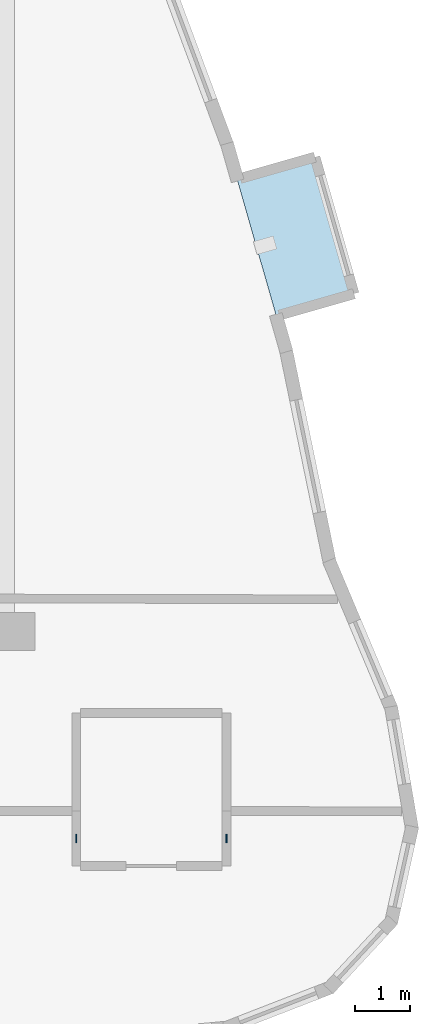
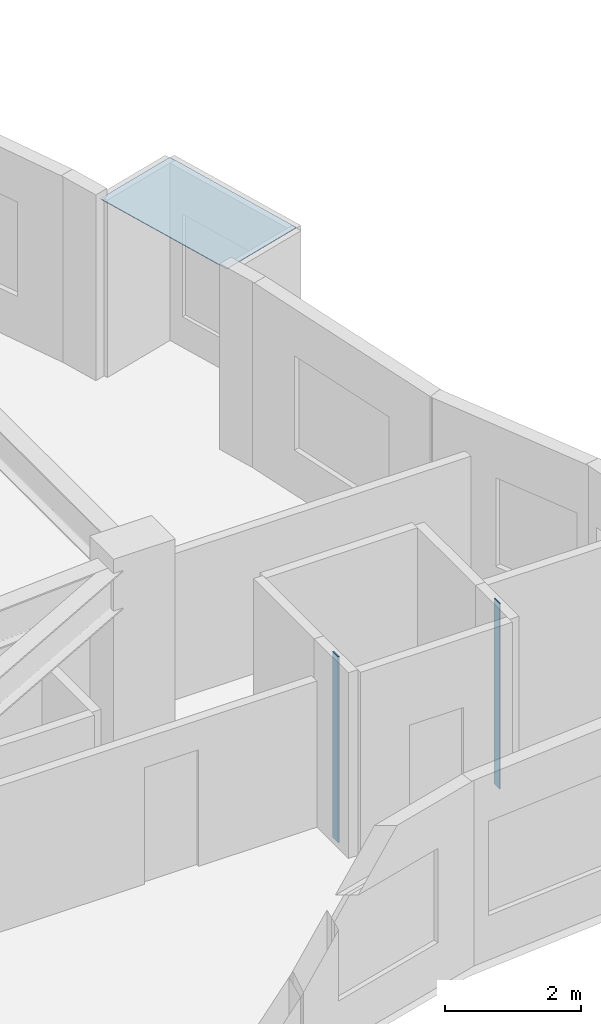
# One storey, part 6 of 12: 3 plates.
"""IFC4 building model written with IfcOpenShell, lengths in metres."""

from ifc_helpers import new_model, si_unit, direction, frame, origin, origin_2d, place, context, subcontext, project, spatial, polyline, rectangle, outline, extrude, material, layer, layer_set, type_object, element, save


model = new_model("IFC4")

# Units and contexts
model_context = context("Model", 3, precision=1e-05, world=origin(), true_north=direction((0.0, 1.0)))
body_context = subcontext(model_context, "Body", "Model", "MODEL_VIEW")
ifc_project = project(units=[si_unit("LENGTHUNIT", "METRE"), si_unit("AREAUNIT", "SQUARE_METRE"), si_unit("VOLUMEUNIT", "CUBIC_METRE"), si_unit("PLANEANGLEUNIT", "RADIAN"), si_unit("MASSUNIT", "GRAM", prefix="KILO")], contexts=[model_context])

# Site, building, storey
site_placement = place(None, origin())
site = spatial("IfcSite", under=ifc_project, at=site_placement, CompositionType="ELEMENT")
building_placement = place(site_placement, origin())
building = spatial("IfcBuilding", under=site, at=building_placement, Name="Miruveldt Soraemaru", CompositionType="ELEMENT")
storey_placement = place(building_placement, frame((0.0, 0.0, 219.60009765625)))
storey = spatial("IfcBuildingStorey", under=building, at=storey_placement, Name="L60", CompositionType="ELEMENT", Elevation=219.60009765625)

# Plates
ifc_material_1 = material(Name="Anodised aluminium EN AW-6063 T6", Category="aluminium")
ifc_layer_1 = layer(ifc_material_1, 0.02001953125, Name="Anodised aluminium EN AW-6063 T6", Category="aluminium")
ifc_layer_set_1 = layer_set([ifc_layer_1], Name="Anodised aluminium EN AW-6063 T6")
plate_type_1 = type_object("IfcPlateType", Name="PLT-PART-TRIM", PredefinedType="SHEET", material=ifc_layer_set_1)
for number, where, z_axis, x_axis, name in (
    (1, (60.6298828125, 32.010986328125, 0.0), (0.0, 0.0, 1.0), (0.0, 1.0, 0.0), "L60 Partition Step Corner Trim Plate 035"),
    (2, (57.8798828125, 32.010986328125, 0.0), (0.0, 0.0, 1.0), (0.0, -1.0, 0.0), "L60 Partition Step Corner Trim Plate 036"),
):
    element("IfcPlate", number, at=place(storey_placement, frame(where, z_axis=z_axis, x_axis=x_axis)), inside=storey, type_object=plate_type_1, Name=name, PredefinedType="SHEET", context=body_context, shape_type="SweptSolid", body=[
        extrude(rectangle(XDim=0.159912109375, YDim=0.02001953125, at=origin_2d()), origin(), (0.0, 0.0, 1.0), 3.344970703125),
    ])
ifc_material_2 = material(Name="Standing-seam titanium-zinc sheet", Category="aluminium")
ifc_layer_2 = layer(ifc_material_2, 0.011962890625, Name="Standing-seam titanium-zinc sheet", Category="aluminium")
ifc_layer_set_2 = layer_set([ifc_layer_2], Name="Standing-seam titanium-zinc sheet")
plate_type_2 = type_object("IfcPlateType", Name="PLT-ZINC-12", PredefinedType="SHEET", material=ifc_layer_set_2)
plate_placement = place(storey_placement, frame((0.0, 0.0, 3.19482421875)))
element("IfcPlate", 3, at=plate_placement, inside=storey, type_object=plate_type_2, Name="L60 Bay Window Zinc Hood Sheet 2", PredefinedType="SHEET", context=body_context, shape_type="SweptSolid", body=[
    extrude(outline(polyline([(61.541259765625, 41.5751953125), (60.826416015625, 44.074951171875), (62.249267578125, 44.48193359375), (62.964111328125, 41.982177734375), (61.541259765625, 41.5751953125)])), origin(), (0.0, 0.0, 1.0), 0.011962890625),
])

save(model, "model.ifc")
